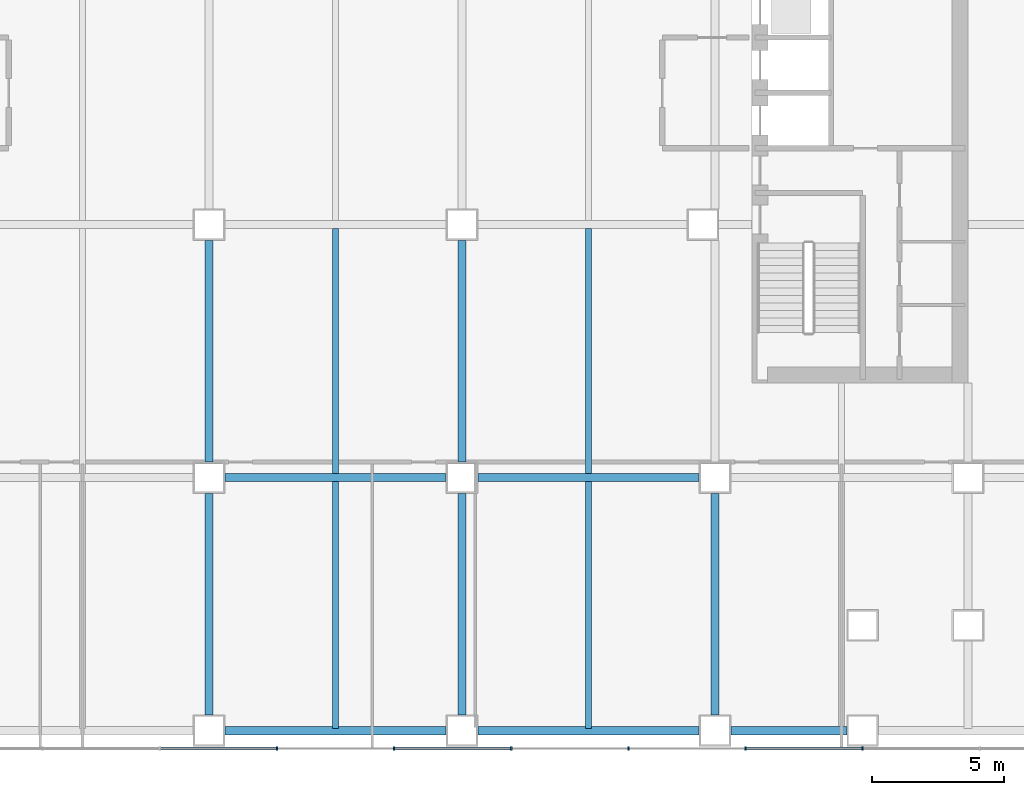
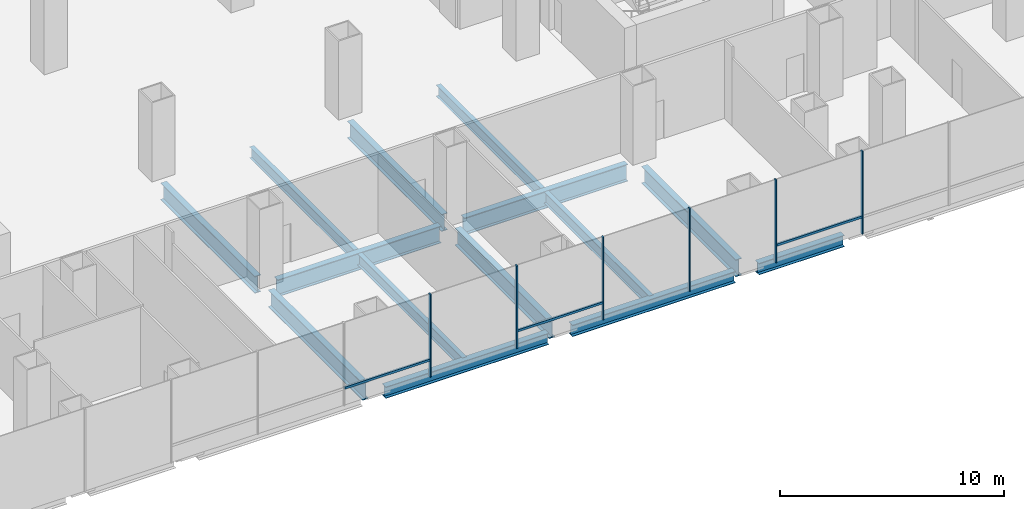
# One storey, part 5 of 23: 14 beams, 9 members, 1 element without a shape of its own.
"""IFC4 building model written with IfcOpenShell, lengths in metres."""

from ifc_helpers import new_model, si_unit, direction, frame, origin, origin_2d, place, context, subcontext, project, spatial, rectangle, i_section, extrude, material, material_profile, profile_set, type_object, element, aggregate, save


model = new_model("IFC4")

# Units and contexts
model_context = context("Model", 3, precision=1e-05, world=origin(), true_north=direction((0.0, 1.0)))
body_context = subcontext(model_context, "Body", "Model", "MODEL_VIEW")
ifc_project = project(units=[si_unit("LENGTHUNIT", "METRE"), si_unit("AREAUNIT", "SQUARE_METRE"), si_unit("VOLUMEUNIT", "CUBIC_METRE"), si_unit("PLANEANGLEUNIT", "RADIAN"), si_unit("MASSUNIT", "GRAM", prefix="KILO")], contexts=[model_context])

# Site, building, storey
site_placement = place(None, origin())
site = spatial("IfcSite", under=ifc_project, at=site_placement, CompositionType="ELEMENT")
building_placement = place(site_placement, origin())
building = spatial("IfcBuilding", under=site, at=building_placement, Name="Cobrizo Arcos Hotel Tower", CompositionType="ELEMENT")
storey_placement = place(building_placement, frame((0.0, 0.0, 20.0)))
storey = spatial("IfcBuildingStorey", under=building, at=storey_placement, Name="L03", CompositionType="ELEMENT", Elevation=20.0)

# Curtain wall, members
ifc_material_1 = material(Name="Aluminium 6063-T6 anodised bronze", Category="aluminium")
curtain_wall_type = type_object("IfcCurtainWallType", Name="CW-A guest facade", PredefinedType="NOTDEFINED", material=ifc_material_1)
curtain_wall_placement = place(storey_placement, origin())
curtain_wall = element("IfcCurtainWall", 1, at=curtain_wall_placement, inside=storey, type_object=curtain_wall_type, Name="CW-A L03 S face", PredefinedType="NOTDEFINED")
ifc_material_profile_1 = material_profile(ifc_material_1, rectangle(XDim=0.14990234375, YDim=0.06005859375, at=origin_2d()), Name="CW-A mullion 150x60")
ifc_profile_set_1 = profile_set([ifc_material_profile_1], Name="Aluminium 6063-T6 anodised bronze")
member_type_1 = type_object("IfcMemberType", Name="CW-A mullion 150x60", PredefinedType="MULLION", material=ifc_profile_set_1)
member_1_placement = place(storey_placement, frame((-2.22216796875, -24.675048828125, 0.0), z_axis=(0.0, 0.0, 1.0), x_axis=(0.0, -1.0, 0.0)))
member_1 = element("IfcMember", 2, at=member_1_placement, type_object=member_type_1, Name="CW-A mullion 9", PredefinedType="MULLION", context=body_context, shape_type="SweptSolid", body=[
    extrude(rectangle(XDim=0.14990234375, YDim=0.06005859375, at=origin_2d()), origin(), (0.0, 0.0, 1.0), 4.5),
])
member_2_placement = place(storey_placement, frame((2.22216796875, -24.675048828125, 0.0), z_axis=(0.0, 0.0, 1.0), x_axis=(0.0, -1.0, 0.0)))
member_2 = element("IfcMember", 3, at=member_2_placement, type_object=member_type_1, Name="CW-A mullion 10", PredefinedType="MULLION", context=body_context, shape_type="SweptSolid", body=[
    extrude(rectangle(XDim=0.14990234375, YDim=0.06005859375, at=origin_2d()), origin(), (0.0, 0.0, 1.0), 4.5),
])
member_3_placement = place(storey_placement, frame((6.666748046875, -24.675048828125, 0.0), z_axis=(0.0, 0.0, 1.0), x_axis=(0.0, -1.0, 0.0)))
member_3 = element("IfcMember", 4, at=member_3_placement, type_object=member_type_1, Name="CW-A mullion 11", PredefinedType="MULLION", context=body_context, shape_type="SweptSolid", body=[
    extrude(rectangle(XDim=0.14990234375, YDim=0.06005859375, at=origin_2d()), origin(), (0.0, 0.0, 1.0), 4.5),
])
member_4_placement = place(storey_placement, frame((11.111083984375, -24.675048828125, 0.0), z_axis=(0.0, 0.0, 1.0), x_axis=(0.0, -1.0, 0.0)))
member_4 = element("IfcMember", 5, at=member_4_placement, type_object=member_type_1, Name="CW-A mullion 12", PredefinedType="MULLION", context=body_context, shape_type="SweptSolid", body=[
    extrude(rectangle(XDim=0.14990234375, YDim=0.06005859375, at=origin_2d()), origin(), (0.0, 0.0, 1.0), 4.5),
])
member_5_placement = place(storey_placement, frame((15.5556640625, -24.675048828125, 0.0), z_axis=(0.0, 0.0, 1.0), x_axis=(0.0, -1.0, 0.0)))
member_5 = element("IfcMember", 6, at=member_5_placement, type_object=member_type_1, Name="CW-A mullion 13", PredefinedType="MULLION", context=body_context, shape_type="SweptSolid", body=[
    extrude(rectangle(XDim=0.14990234375, YDim=0.06005859375, at=origin_2d()), origin(), (0.0, 0.0, 1.0), 4.5),
])
member_6_placement = place(storey_placement, frame((20.0, -24.675048828125, 0.0), z_axis=(0.0, 0.0, 1.0), x_axis=(0.0, -1.0, 0.0)))
member_6 = element("IfcMember", 7, at=member_6_placement, type_object=member_type_1, Name="CW-A mullion 14", PredefinedType="MULLION", context=body_context, shape_type="SweptSolid", body=[
    extrude(rectangle(XDim=0.14990234375, YDim=0.06005859375, at=origin_2d()), origin(), (0.0, 0.0, 1.0), 4.5),
])
ifc_material_profile_2 = material_profile(ifc_material_1, rectangle(XDim=0.10009765625, YDim=0.1201171875, at=origin_2d()), Name="CW-A transom 120x100")
ifc_profile_set_2 = profile_set([ifc_material_profile_2], Name="Aluminium 6063-T6 anodised bronze")
member_type_2 = type_object("IfcMemberType", Name="CW-A transom 120x100", PredefinedType="USERDEFINED", material=ifc_profile_set_2)
member_7_placement = place(storey_placement, frame((-6.63671875, -24.675048828125, 0.929931640625), z_axis=(1.0, 0.0, 0.0), x_axis=(0.0, 1.0, 0.0)))
member_7 = element("IfcMember", 8, at=member_7_placement, type_object=member_type_2, Name="CW-A transom 205", ObjectType="TRANSOM", PredefinedType="USERDEFINED", context=body_context, shape_type="SweptSolid", body=[
    extrude(rectangle(XDim=0.10009765625, YDim=0.1201171875, at=origin_2d()), origin(), (0.0, 0.0, 1.0), 4.384521484375),
])
member_8_placement = place(storey_placement, frame((2.252197265625, -24.675048828125, 0.929931640625), z_axis=(1.0, 0.0, 0.0), x_axis=(0.0, 1.0, 0.0)))
member_8 = element("IfcMember", 9, at=member_8_placement, type_object=member_type_2, Name="CW-A transom 207", ObjectType="TRANSOM", PredefinedType="USERDEFINED", context=body_context, shape_type="SweptSolid", body=[
    extrude(rectangle(XDim=0.10009765625, YDim=0.1201171875, at=origin_2d()), origin(), (0.0, 0.0, 1.0), 4.384521484375),
])
member_9_placement = place(storey_placement, frame((15.58544921875, -24.675048828125, 0.929931640625), z_axis=(1.0, 0.0, 0.0), x_axis=(0.0, 1.0, 0.0)))
member_9 = element("IfcMember", 10, at=member_9_placement, type_object=member_type_2, Name="CW-A transom 210", ObjectType="TRANSOM", PredefinedType="USERDEFINED", context=body_context, shape_type="SweptSolid", body=[
    extrude(rectangle(XDim=0.10009765625, YDim=0.1201171875, at=origin_2d()), origin(), (0.0, 0.0, 1.0), 4.384521484375),
])
aggregate(curtain_wall, [member_1, member_2, member_3, member_4, member_5, member_6, member_7, member_8, member_9])

# Beams
ifc_material_2 = material(Name="Steel ASTM A992 Grade 50", Category="steel")
ifc_material_profile_3 = material_profile(ifc_material_2, i_section(OverallWidth=0.32763671875, OverallDepth=0.622314453125, WebThickness=0.015380859375, FlangeThickness=0.0244140625, at=origin_2d()), Name="W24X131")
ifc_profile_set_3 = profile_set([ifc_material_profile_3], Name="Steel ASTM A992 Grade 50")
beam_type_1 = type_object("IfcBeamType", Name="W24X131 spandrel", PredefinedType="SPANDREL", material=ifc_profile_set_3)
beam_1_placement = place(storey_placement, frame((-4.199951171875, -24.0, -0.51123046875), z_axis=(1.0, 0.0, 0.0), x_axis=(0.0, 1.0, 0.0)))
element("IfcBeam", 11, at=beam_1_placement, inside=storey, type_object=beam_type_1, Name="Spandrel beam W24X131, L03, no. 011", PredefinedType="SPANDREL", context=body_context, shape_type="SweptSolid", body=[
    extrude(i_section(OverallWidth=0.32763671875, OverallDepth=0.622314453125, WebThickness=0.015380859375, FlangeThickness=0.0244140625, at=origin_2d()), origin(), (0.0, 0.0, 1.0), 8.39990234375),
])
beam_2_placement = place(storey_placement, frame((5.39990234375, -24.0, -0.51123046875), z_axis=(1.0, 0.0, 0.0), x_axis=(0.0, 1.0, 0.0)))
element("IfcBeam", 12, at=beam_2_placement, inside=storey, type_object=beam_type_1, Name="Spandrel beam W24X131, L03, no. 012", PredefinedType="SPANDREL", context=body_context, shape_type="SweptSolid", body=[
    extrude(i_section(OverallWidth=0.32763671875, OverallDepth=0.622314453125, WebThickness=0.015380859375, FlangeThickness=0.0244140625, at=origin_2d()), origin(), (0.0, 0.0, 1.0), 8.400146484375),
])
beam_3_placement = place(storey_placement, frame((15.0, -24.0, -0.51123046875), z_axis=(1.0, 0.0, 0.0), x_axis=(0.0, 1.0, 0.0)))
element("IfcBeam", 13, at=beam_3_placement, inside=storey, type_object=beam_type_1, Name="Spandrel beam W24X131, L03, no. 013", PredefinedType="SPANDREL", context=body_context, shape_type="SweptSolid", body=[
    extrude(i_section(OverallWidth=0.32763671875, OverallDepth=0.622314453125, WebThickness=0.015380859375, FlangeThickness=0.0244140625, at=origin_2d()), origin(), (0.0, 0.0, 1.0), 4.39990234375),
])
ifc_material_profile_4 = material_profile(ifc_material_2, i_section(OverallWidth=0.23046875, OverallDepth=0.6171875, WebThickness=0.01318359375, FlangeThickness=0.022216796875, at=origin_2d()), Name="W24X94")
ifc_profile_set_4 = profile_set([ifc_material_profile_4], Name="Steel ASTM A992 Grade 50")
beam_type_2 = type_object("IfcBeamType", Name="W24X94 podium joist", PredefinedType="JOIST", material=ifc_profile_set_4)
beam_4_placement = place(storey_placement, frame((0.0, -23.909912109375, -0.508544921875), z_axis=(0.0, 1.0, 0.0), x_axis=(-1.0, 0.0, 0.0)))
element("IfcBeam", 14, at=beam_4_placement, inside=storey, type_object=beam_type_2, Name="Podium joist PJ1, L03, no. 015", PredefinedType="JOIST", context=body_context, shape_type="SweptSolid", body=[
    extrude(i_section(OverallWidth=0.23046875, OverallDepth=0.6171875, WebThickness=0.01318359375, FlangeThickness=0.022216796875, at=origin_2d()), origin(), (0.0, 0.0, 1.0), 9.356201171875),
])
beam_5_placement = place(storey_placement, frame((0.0, -14.246337890625, -0.508544921875), z_axis=(0.0, 1.0, 0.0), x_axis=(-1.0, 0.0, 0.0)))
element("IfcBeam", 15, at=beam_5_placement, inside=storey, type_object=beam_type_2, Name="Podium joist PJ1, L03, no. 016", PredefinedType="JOIST", context=body_context, shape_type="SweptSolid", body=[
    extrude(i_section(OverallWidth=0.23046875, OverallDepth=0.6171875, WebThickness=0.01318359375, FlangeThickness=0.022216796875, at=origin_2d()), origin(), (0.0, 0.0, 1.0), 9.292724609375),
])
beam_6_placement = place(storey_placement, frame((9.60009765625, -23.909912109375, -0.508544921875), z_axis=(0.0, 1.0, 0.0), x_axis=(-1.0, 0.0, 0.0)))
element("IfcBeam", 16, at=beam_6_placement, inside=storey, type_object=beam_type_2, Name="Podium joist PJ1, L03, no. 020", PredefinedType="JOIST", context=body_context, shape_type="SweptSolid", body=[
    extrude(i_section(OverallWidth=0.23046875, OverallDepth=0.6171875, WebThickness=0.01318359375, FlangeThickness=0.022216796875, at=origin_2d()), origin(), (0.0, 0.0, 1.0), 9.356201171875),
])
beam_7_placement = place(storey_placement, frame((9.60009765625, -14.246337890625, -0.508544921875), z_axis=(0.0, 1.0, 0.0), x_axis=(-1.0, 0.0, 0.0)))
element("IfcBeam", 17, at=beam_7_placement, inside=storey, type_object=beam_type_2, Name="Podium joist PJ1, L03, no. 021", PredefinedType="JOIST", context=body_context, shape_type="SweptSolid", body=[
    extrude(i_section(OverallWidth=0.23046875, OverallDepth=0.6171875, WebThickness=0.01318359375, FlangeThickness=0.022216796875, at=origin_2d()), origin(), (0.0, 0.0, 1.0), 9.292724609375),
])
ifc_material_profile_5 = material_profile(ifc_material_2, i_section(OverallWidth=0.307373046875, OverallDepth=0.927001953125, WebThickness=0.01953125, FlangeThickness=0.031982421875, at=origin_2d()), Name="W36X194")
ifc_profile_set_5 = profile_set([ifc_material_profile_5], Name="Steel ASTM A992 Grade 50")
beam_type_3 = type_object("IfcBeamType", Name="W36X194 podium girder", PredefinedType="BEAM", material=ifc_profile_set_5)
beam_8_placement = place(storey_placement, frame((-4.199951171875, -14.39990234375, -0.66357421875), z_axis=(1.0, 0.0, 0.0), x_axis=(0.0, 1.0, 0.0)))
element("IfcBeam", 18, at=beam_8_placement, inside=storey, type_object=beam_type_3, Name="Podium girder PG1, L03, no. 005", PredefinedType="BEAM", context=body_context, shape_type="SweptSolid", body=[
    extrude(i_section(OverallWidth=0.307373046875, OverallDepth=0.927001953125, WebThickness=0.01953125, FlangeThickness=0.031982421875, at=origin_2d()), origin(), (0.0, 0.0, 1.0), 8.39990234375),
])
beam_9_placement = place(storey_placement, frame((5.39990234375, -14.39990234375, -0.66357421875), z_axis=(1.0, 0.0, 0.0), x_axis=(0.0, 1.0, 0.0)))
element("IfcBeam", 19, at=beam_9_placement, inside=storey, type_object=beam_type_3, Name="Podium girder PG1, L03, no. 006", PredefinedType="BEAM", context=body_context, shape_type="SweptSolid", body=[
    extrude(i_section(OverallWidth=0.307373046875, OverallDepth=0.927001953125, WebThickness=0.01953125, FlangeThickness=0.031982421875, at=origin_2d()), origin(), (0.0, 0.0, 1.0), 8.400146484375),
])
beam_10_placement = place(storey_placement, frame((-4.800048828125, -23.39990234375, -0.66357421875), z_axis=(0.0, 1.0, 0.0), x_axis=(-1.0, 0.0, 0.0)))
element("IfcBeam", 20, at=beam_10_placement, inside=storey, type_object=beam_type_3, Name="Podium girder PG1, L03, no. 051", PredefinedType="BEAM", context=body_context, shape_type="SweptSolid", body=[
    extrude(i_section(OverallWidth=0.307373046875, OverallDepth=0.927001953125, WebThickness=0.01953125, FlangeThickness=0.031982421875, at=origin_2d()), origin(), (0.0, 0.0, 1.0), 8.39990234375),
])
beam_11_placement = place(storey_placement, frame((-4.800048828125, -13.800048828125, -0.66357421875), z_axis=(0.0, 1.0, 0.0), x_axis=(-1.0, 0.0, 0.0)))
element("IfcBeam", 21, at=beam_11_placement, inside=storey, type_object=beam_type_3, Name="Podium girder PG1, L03, no. 052", PredefinedType="BEAM", context=body_context, shape_type="SweptSolid", body=[
    extrude(i_section(OverallWidth=0.307373046875, OverallDepth=0.927001953125, WebThickness=0.01953125, FlangeThickness=0.031982421875, at=origin_2d()), origin(), (0.0, 0.0, 1.0), 8.400146484375),
])
beam_12_placement = place(storey_placement, frame((4.800048828125, -23.39990234375, -0.66357421875), z_axis=(0.0, 1.0, 0.0), x_axis=(-1.0, 0.0, 0.0)))
element("IfcBeam", 22, at=beam_12_placement, inside=storey, type_object=beam_type_3, Name="Podium girder PG1, L03, no. 056", PredefinedType="BEAM", context=body_context, shape_type="SweptSolid", body=[
    extrude(i_section(OverallWidth=0.307373046875, OverallDepth=0.927001953125, WebThickness=0.01953125, FlangeThickness=0.031982421875, at=origin_2d()), origin(), (0.0, 0.0, 1.0), 8.39990234375),
])
beam_13_placement = place(storey_placement, frame((4.800048828125, -13.800048828125, -0.66357421875), z_axis=(0.0, 1.0, 0.0), x_axis=(-1.0, 0.0, 0.0)))
element("IfcBeam", 23, at=beam_13_placement, inside=storey, type_object=beam_type_3, Name="Podium girder PG1, L03, no. 057", PredefinedType="BEAM", context=body_context, shape_type="SweptSolid", body=[
    extrude(i_section(OverallWidth=0.307373046875, OverallDepth=0.927001953125, WebThickness=0.01953125, FlangeThickness=0.031982421875, at=origin_2d()), origin(), (0.0, 0.0, 1.0), 8.400146484375),
])
beam_14_placement = place(storey_placement, frame((14.39990234375, -23.39990234375, -0.66357421875), z_axis=(0.0, 1.0, 0.0), x_axis=(-1.0, 0.0, 0.0)))
element("IfcBeam", 24, at=beam_14_placement, inside=storey, type_object=beam_type_3, Name="Podium girder PG1, L03, no. 061", PredefinedType="BEAM", context=body_context, shape_type="SweptSolid", body=[
    extrude(i_section(OverallWidth=0.307373046875, OverallDepth=0.927001953125, WebThickness=0.01953125, FlangeThickness=0.031982421875, at=origin_2d()), origin(), (0.0, 0.0, 1.0), 8.39990234375),
])

save(model, "model.ifc")
